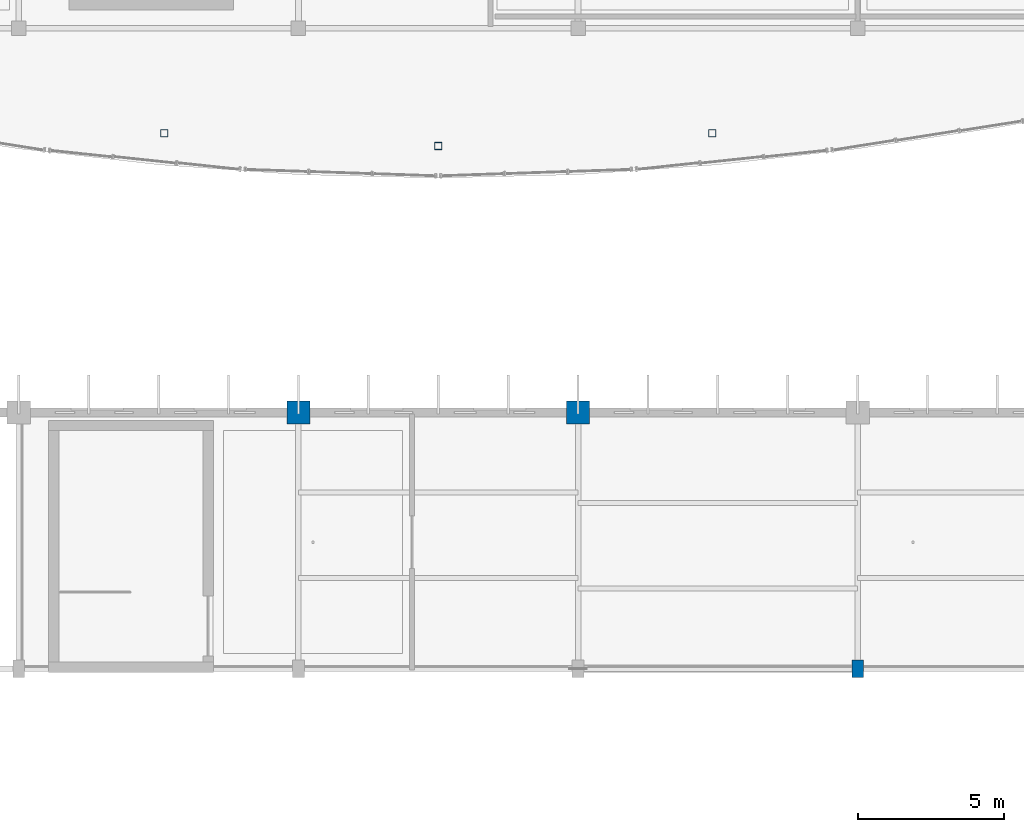
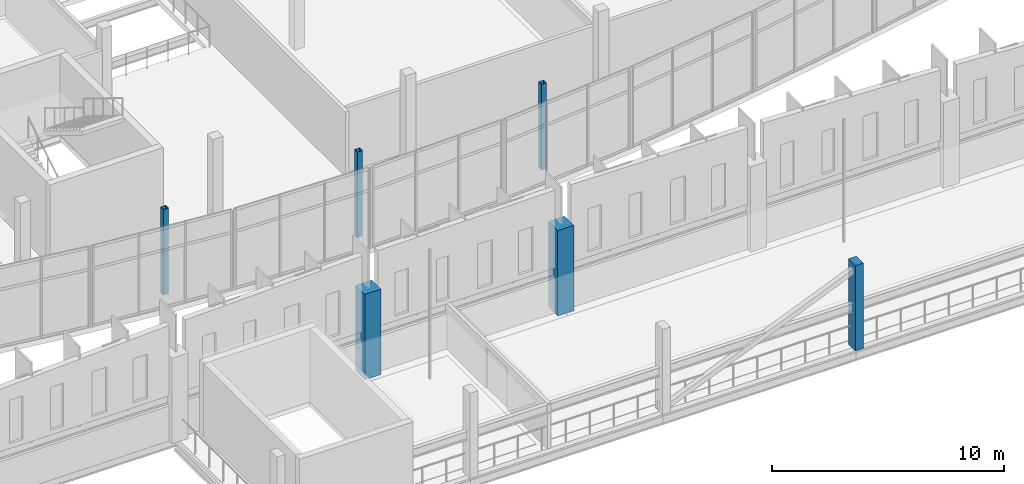
# One storey, part 7 of 114: 6 columns.
"""IFC4 building model written with IfcOpenShell, lengths in metres."""

from ifc_helpers import new_model, si_unit, direction, frame, origin, origin_2d, place, context, subcontext, project, spatial, rectangle, hollow_rectangle, extrude, material, material_profile, profile_set, type_object, element, save


model = new_model("IFC4")

# Units and contexts
model_context = context("Model", 3, precision=1e-05, world=origin(), true_north=direction((0.0, 1.0)))
body_context = subcontext(model_context, "Body", "Model", "MODEL_VIEW")
ifc_project = project(units=[si_unit("LENGTHUNIT", "METRE"), si_unit("AREAUNIT", "SQUARE_METRE"), si_unit("VOLUMEUNIT", "CUBIC_METRE"), si_unit("PLANEANGLEUNIT", "RADIAN"), si_unit("MASSUNIT", "GRAM", prefix="KILO")], contexts=[model_context])

# Site, building, storey
site_placement = place(None, origin())
site = spatial("IfcSite", under=ifc_project, at=site_placement, CompositionType="ELEMENT")
building_placement = place(site_placement, origin())
building = spatial("IfcBuilding", under=site, at=building_placement, Name="Chalmorin Arch Market", CompositionType="ELEMENT")
storey_placement = place(building_placement, frame((0.0, 0.0, 9.60009765625)))
storey = spatial("IfcBuildingStorey", under=building, at=storey_placement, Name="L02", CompositionType="ELEMENT", Elevation=9.60009765625)

# Columns
ifc_material_1 = material(Name="Concrete C50/60", Category="concrete")
ifc_material_profile_1 = material_profile(ifc_material_1, rectangle(XDim=0.800048828125, YDim=0.800048828125, at=origin_2d()), Name="RC800X800")
ifc_profile_set_1 = profile_set([ifc_material_profile_1], Name="Concrete C50/60")
column_type_1 = type_object("IfcColumnType", Name="ArchPierColumn-800x800", PredefinedType="COLUMN", material=ifc_profile_set_1)
for number, where, z_axis, x_axis, name in (
    (1, (76.800048828125, 58.800048828125, 0.0), (0.0, 0.0, 1.0), (1.0, 0.0, 0.0), "C-AP1-388"),
    (2, (86.39990234375, 58.800048828125, 0.0), (0.0, 0.0, 1.0), (1.0, 0.0, 0.0), "C-AP1-443"),
):
    element("IfcColumn", number, at=place(storey_placement, frame(where, z_axis=z_axis, x_axis=x_axis)), inside=storey, type_object=column_type_1, Name=name, PredefinedType="COLUMN", context=body_context, shape_type="SweptSolid", body=[
        extrude(rectangle(XDim=0.800048828125, YDim=0.800048828125, at=origin_2d()), origin(), (0.0, 0.0, 1.0), 4.5),
    ])
ifc_material_2 = material(Name="Concrete C40/50", Category="concrete")
ifc_material_profile_2 = material_profile(ifc_material_2, rectangle(XDim=0.39990234375, YDim=0.60009765625, at=origin_2d()), Name="RC400X600")
ifc_profile_set_2 = profile_set([ifc_material_profile_2], Name="Concrete C40/50")
column_type_2 = type_object("IfcColumnType", Name="GalleryConcreteColumn-400x600", PredefinedType="COLUMN", material=ifc_profile_set_2)
column_placement = place(storey_placement, frame((96.0, 50.0, 0.0), z_axis=(0.0, 0.0, 1.0), x_axis=(1.0, 0.0, 0.0)))
element("IfcColumn", 3, at=column_placement, inside=storey, type_object=column_type_2, Name="C-RC5-493", PredefinedType="COLUMN", context=body_context, shape_type="SweptSolid", body=[
    extrude(rectangle(XDim=0.39990234375, YDim=0.60009765625, at=origin_2d()), origin(), (0.0, 0.0, 1.0), 4.5),
])
ifc_material_3 = material(Name="Steel A500 Grade C", Category="steel")
ifc_material_profile_3 = material_profile(ifc_material_3, hollow_rectangle(XDim=0.25390625, YDim=0.25390625, WallThickness=0.01171875, at=origin_2d()), Name="HSS10X10X1/2")
ifc_profile_set_3 = profile_set([ifc_material_profile_3], Name="Steel A500 Grade C")
column_type_3 = type_object("IfcColumnType", Name="SteelTubeColumn-HSS10X10", PredefinedType="COLUMN", material=ifc_profile_set_3)
for number, where, z_axis, x_axis, name in (
    (4, (72.19189453125, 68.387939453125, 0.0), (0.0, 0.0, 1.0), (1.0, 0.0, 0.0), "C-HS2-718"),
    (5, (81.60009765625, 67.949951171875, 0.0), (0.0, 0.0, 1.0), (1.0, 0.0, 0.0), "C-HS2-726"),
    (6, (91.008056640625, 68.387939453125, 0.0), (0.0, 0.0, 1.0), (1.0, 0.0, 0.0), "C-HS2-734"),
):
    element("IfcColumn", number, at=place(storey_placement, frame(where, z_axis=z_axis, x_axis=x_axis)), inside=storey, type_object=column_type_3, Name=name, PredefinedType="COLUMN", context=body_context, shape_type="SweptSolid", body=[
        extrude(hollow_rectangle(XDim=0.25390625, YDim=0.25390625, WallThickness=0.01171875, at=origin_2d()), origin(), (0.0, 0.0, 1.0), 4.5),
    ])

save(model, "model.ifc")
